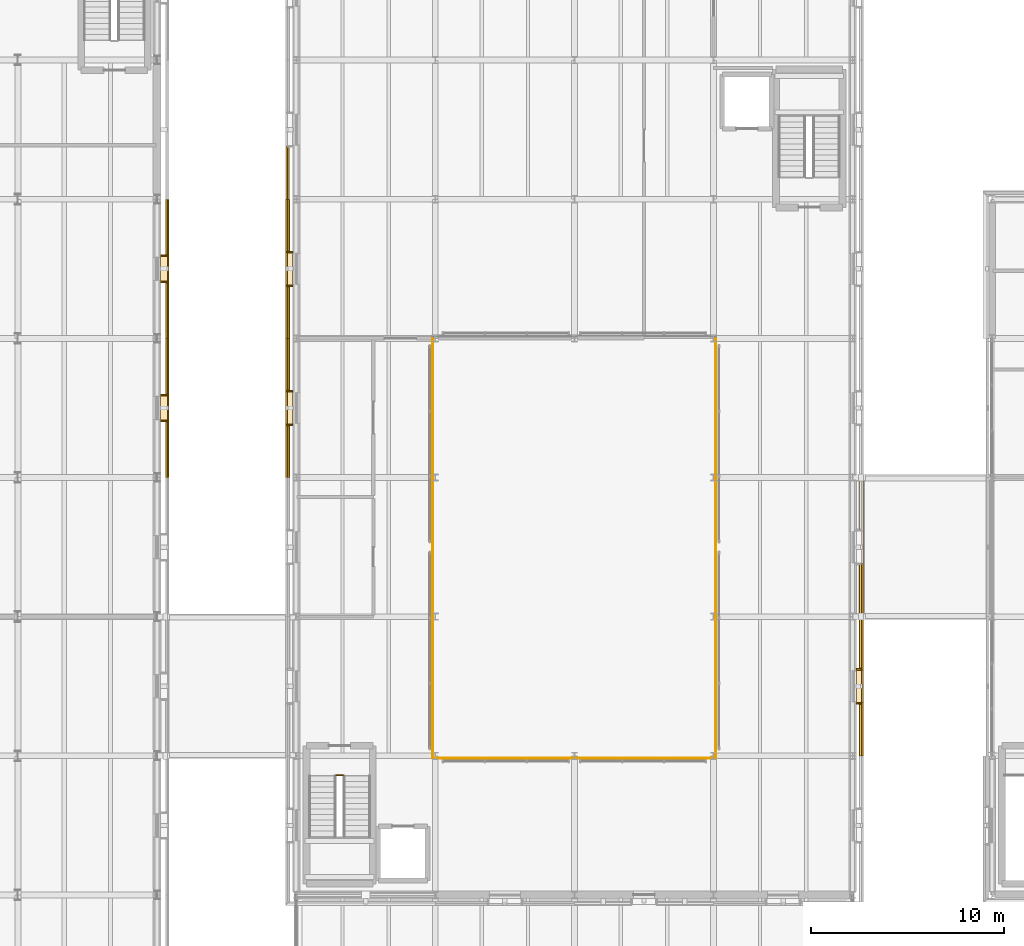
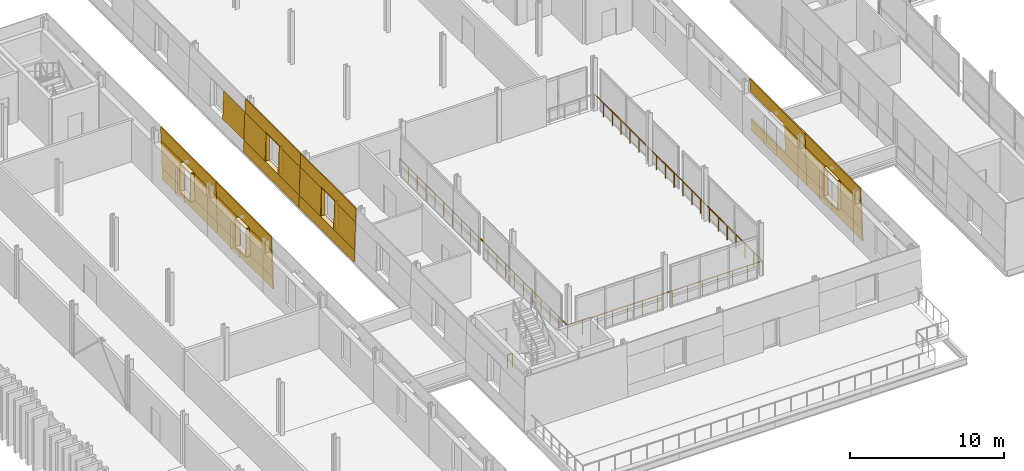
# One storey, part 81 of 91: 44 coverings, 4 railings.
"""IFC4 building model written with IfcOpenShell, lengths in metres."""

from ifc_helpers import new_model, si_unit, direction, frame, origin, origin_2d, place, context, subcontext, project, spatial, polyline, circle, outline, extrude, material, layer, layer_set, type_object, element, save


model = new_model("IFC4")

# Units and contexts
model_context = context("Model", 3, precision=1e-05, world=origin(), true_north=direction((0.0, 1.0)))
body_context = subcontext(model_context, "Body", "Model", "MODEL_VIEW")
ifc_project = project(units=[si_unit("LENGTHUNIT", "METRE"), si_unit("AREAUNIT", "SQUARE_METRE"), si_unit("VOLUMEUNIT", "CUBIC_METRE"), si_unit("PLANEANGLEUNIT", "RADIAN"), si_unit("MASSUNIT", "GRAM", prefix="KILO")], contexts=[model_context])

# Site, building, storey
site_placement = place(None, origin())
site = spatial("IfcSite", under=ifc_project, at=site_placement, CompositionType="ELEMENT")
building_placement = place(site_placement, origin())
building = spatial("IfcBuilding", under=site, at=building_placement, Name="Narikvali Park Central Library", CompositionType="ELEMENT")
storey_placement = place(building_placement, frame((0.0, 0.0, 14.39990234375)))
storey = spatial("IfcBuildingStorey", under=building, at=storey_placement, Name="L03", CompositionType="ELEMENT", Elevation=14.39990234375)

# Railings
ifc_material_1 = material(Name="Laminated Tempered Glass and Stainless Steel", Category="steel")
ifc_layer_1 = layer(ifc_material_1, 0.06005859375, Name="Laminated Tempered Glass and Stainless Steel")
ifc_layer_set_1 = layer_set([ifc_layer_1], Name="Laminated Tempered Glass and Stainless Steel")
railing_type_1 = type_object("IfcRailingType", Name="Atrium Void Tempered Glass Guardrail 1150", PredefinedType="GUARDRAIL", material=ifc_layer_set_1)
railing_1_placement = place(storey_placement, frame((35.8798828125, 64.679931640625, 0.0)))
element("IfcRailing", 1, at=railing_1_placement, inside=storey, type_object=railing_type_1, Name="V4 L03 Void Edge Guardrail S", PredefinedType="GUARDRAIL", context=body_context, shape_type="SweptSolid", body=[
    extrude(circle(Radius=0.02392578125, at=origin_2d()), frame((0.0, 0.0, 1.1259765625), z_axis=(1.0, 0.0, 0.0), x_axis=(0.0, 1.0, 0.0)), (0.0, 0.0, 1.0), 14.64013671875),
    extrude(circle(Radius=0.02099609375, at=origin_2d()), origin(), (0.0, 0.0, 1.0), 1.101806640625),
    extrude(circle(Radius=0.02099609375, at=origin_2d()), frame((1.126220703125, 0.0, 0.0)), (0.0, 0.0, 1.0), 1.101806640625),
    extrude(circle(Radius=0.02099609375, at=origin_2d()), frame((2.25244140625, 0.0, 0.0)), (0.0, 0.0, 1.0), 1.101806640625),
    extrude(circle(Radius=0.02099609375, at=origin_2d()), frame((3.37841796875, 0.0, 0.0)), (0.0, 0.0, 1.0), 1.101806640625),
    extrude(circle(Radius=0.02099609375, at=origin_2d()), frame((4.504638671875, 0.0, 0.0)), (0.0, 0.0, 1.0), 1.101806640625),
    extrude(circle(Radius=0.02099609375, at=origin_2d()), frame((5.630859375, 0.0, 0.0)), (0.0, 0.0, 1.0), 1.101806640625),
    extrude(circle(Radius=0.02099609375, at=origin_2d()), frame((6.757080078125, 0.0, 0.0)), (0.0, 0.0, 1.0), 1.101806640625),
    extrude(circle(Radius=0.02099609375, at=origin_2d()), frame((7.883056640625, 0.0, 0.0)), (0.0, 0.0, 1.0), 1.101806640625),
    extrude(circle(Radius=0.02099609375, at=origin_2d()), frame((9.00927734375, 0.0, 0.0)), (0.0, 0.0, 1.0), 1.101806640625),
    extrude(circle(Radius=0.02099609375, at=origin_2d()), frame((10.135498046875, 0.0, 0.0)), (0.0, 0.0, 1.0), 1.101806640625),
    extrude(circle(Radius=0.02099609375, at=origin_2d()), frame((11.26171875, 0.0, 0.0)), (0.0, 0.0, 1.0), 1.101806640625),
    extrude(circle(Radius=0.02099609375, at=origin_2d()), frame((12.3876953125, 0.0, 0.0)), (0.0, 0.0, 1.0), 1.101806640625),
    extrude(circle(Radius=0.02099609375, at=origin_2d()), frame((13.513916015625, 0.0, 0.0)), (0.0, 0.0, 1.0), 1.101806640625),
    extrude(circle(Radius=0.02099609375, at=origin_2d()), frame((14.64013671875, 0.0, 0.0)), (0.0, 0.0, 1.0), 1.101806640625),
])
railing_2_placement = place(storey_placement, frame((50.52001953125, 64.679931640625, 0.0)))
element("IfcRailing", 2, at=railing_2_placement, inside=storey, type_object=railing_type_1, Name="V4 L03 Void Edge Guardrail E", PredefinedType="GUARDRAIL", context=body_context, shape_type="SweptSolid", body=[
    extrude(circle(Radius=0.02392578125, at=origin_2d()), frame((0.0, 0.0, 1.1259765625), z_axis=(0.0, 1.0, 0.0), x_axis=(-1.0, 0.0, 0.0)), (0.0, 0.0, 1.0), 21.840087890625),
    extrude(circle(Radius=0.02099609375, at=origin_2d()), origin(), (0.0, 0.0, 1.0), 1.101806640625),
    extrude(circle(Radius=0.02099609375, at=origin_2d()), frame((0.0, 1.1494140625, 0.0)), (0.0, 0.0, 1.0), 1.101806640625),
    extrude(circle(Radius=0.02099609375, at=origin_2d()), frame((0.0, 2.299072265625, 0.0)), (0.0, 0.0, 1.0), 1.101806640625),
    extrude(circle(Radius=0.02099609375, at=origin_2d()), frame((0.0, 3.448486328125, 0.0)), (0.0, 0.0, 1.0), 1.101806640625),
    extrude(circle(Radius=0.02099609375, at=origin_2d()), frame((0.0, 4.597900390625, 0.0)), (0.0, 0.0, 1.0), 1.101806640625),
    extrude(circle(Radius=0.02099609375, at=origin_2d()), frame((0.0, 5.747314453125, 0.0)), (0.0, 0.0, 1.0), 1.101806640625),
    extrude(circle(Radius=0.02099609375, at=origin_2d()), frame((0.0, 6.89697265625, 0.0)), (0.0, 0.0, 1.0), 1.101806640625),
    extrude(circle(Radius=0.02099609375, at=origin_2d()), frame((0.0, 8.04638671875, 0.0)), (0.0, 0.0, 1.0), 1.101806640625),
    extrude(circle(Radius=0.02099609375, at=origin_2d()), frame((0.0, 9.19580078125, 0.0)), (0.0, 0.0, 1.0), 1.101806640625),
    extrude(circle(Radius=0.02099609375, at=origin_2d()), frame((0.0, 10.34521484375, 0.0)), (0.0, 0.0, 1.0), 1.101806640625),
    extrude(circle(Radius=0.02099609375, at=origin_2d()), frame((0.0, 11.494873046875, 0.0)), (0.0, 0.0, 1.0), 1.101806640625),
    extrude(circle(Radius=0.02099609375, at=origin_2d()), frame((0.0, 12.644287109375, 0.0)), (0.0, 0.0, 1.0), 1.101806640625),
    extrude(circle(Radius=0.02099609375, at=origin_2d()), frame((0.0, 13.793701171875, 0.0)), (0.0, 0.0, 1.0), 1.101806640625),
    extrude(circle(Radius=0.02099609375, at=origin_2d()), frame((0.0, 14.943115234375, 0.0)), (0.0, 0.0, 1.0), 1.101806640625),
    extrude(circle(Radius=0.02099609375, at=origin_2d()), frame((0.0, 16.0927734375, 0.0)), (0.0, 0.0, 1.0), 1.101806640625),
    extrude(circle(Radius=0.02099609375, at=origin_2d()), frame((0.0, 17.2421875, 0.0)), (0.0, 0.0, 1.0), 1.101806640625),
    extrude(circle(Radius=0.02099609375, at=origin_2d()), frame((0.0, 18.3916015625, 0.0)), (0.0, 0.0, 1.0), 1.101806640625),
    extrude(circle(Radius=0.02099609375, at=origin_2d()), frame((0.0, 19.541015625, 0.0)), (0.0, 0.0, 1.0), 1.101806640625),
    extrude(circle(Radius=0.02099609375, at=origin_2d()), frame((0.0, 20.690673828125, 0.0)), (0.0, 0.0, 1.0), 1.101806640625),
    extrude(circle(Radius=0.02099609375, at=origin_2d()), frame((0.0, 21.840087890625, 0.0)), (0.0, 0.0, 1.0), 1.101806640625),
])
railing_3_placement = place(storey_placement, frame((35.8798828125, 86.52001953125, 0.0)))
element("IfcRailing", 3, at=railing_3_placement, inside=storey, type_object=railing_type_1, Name="V4 L03 Void Edge Guardrail W", PredefinedType="GUARDRAIL", context=body_context, shape_type="SweptSolid", body=[
    extrude(circle(Radius=0.02392578125, at=origin_2d()), frame((0.0, 0.0, 1.1259765625), z_axis=(0.0, -1.0, 0.0), x_axis=(1.0, 0.0, 0.0)), (0.0, 0.0, 1.0), 21.840087890625),
    extrude(circle(Radius=0.02099609375, at=origin_2d()), origin(), (0.0, 0.0, 1.0), 1.101806640625),
    extrude(circle(Radius=0.02099609375, at=origin_2d()), frame((0.0, -1.1494140625, 0.0)), (0.0, 0.0, 1.0), 1.101806640625),
    extrude(circle(Radius=0.02099609375, at=origin_2d()), frame((0.0, -2.299072265625, 0.0)), (0.0, 0.0, 1.0), 1.101806640625),
    extrude(circle(Radius=0.02099609375, at=origin_2d()), frame((0.0, -3.448486328125, 0.0)), (0.0, 0.0, 1.0), 1.101806640625),
    extrude(circle(Radius=0.02099609375, at=origin_2d()), frame((0.0, -4.597900390625, 0.0)), (0.0, 0.0, 1.0), 1.101806640625),
    extrude(circle(Radius=0.02099609375, at=origin_2d()), frame((0.0, -5.747314453125, 0.0)), (0.0, 0.0, 1.0), 1.101806640625),
    extrude(circle(Radius=0.02099609375, at=origin_2d()), frame((0.0, -6.89697265625, 0.0)), (0.0, 0.0, 1.0), 1.101806640625),
    extrude(circle(Radius=0.02099609375, at=origin_2d()), frame((0.0, -8.04638671875, 0.0)), (0.0, 0.0, 1.0), 1.101806640625),
    extrude(circle(Radius=0.02099609375, at=origin_2d()), frame((0.0, -9.19580078125, 0.0)), (0.0, 0.0, 1.0), 1.101806640625),
    extrude(circle(Radius=0.02099609375, at=origin_2d()), frame((0.0, -10.34521484375, 0.0)), (0.0, 0.0, 1.0), 1.101806640625),
    extrude(circle(Radius=0.02099609375, at=origin_2d()), frame((0.0, -11.494873046875, 0.0)), (0.0, 0.0, 1.0), 1.101806640625),
    extrude(circle(Radius=0.02099609375, at=origin_2d()), frame((0.0, -12.644287109375, 0.0)), (0.0, 0.0, 1.0), 1.101806640625),
    extrude(circle(Radius=0.02099609375, at=origin_2d()), frame((0.0, -13.793701171875, 0.0)), (0.0, 0.0, 1.0), 1.101806640625),
    extrude(circle(Radius=0.02099609375, at=origin_2d()), frame((0.0, -14.943115234375, 0.0)), (0.0, 0.0, 1.0), 1.101806640625),
    extrude(circle(Radius=0.02099609375, at=origin_2d()), frame((0.0, -16.0927734375, 0.0)), (0.0, 0.0, 1.0), 1.101806640625),
    extrude(circle(Radius=0.02099609375, at=origin_2d()), frame((0.0, -17.2421875, 0.0)), (0.0, 0.0, 1.0), 1.101806640625),
    extrude(circle(Radius=0.02099609375, at=origin_2d()), frame((0.0, -18.3916015625, 0.0)), (0.0, 0.0, 1.0), 1.101806640625),
    extrude(circle(Radius=0.02099609375, at=origin_2d()), frame((0.0, -19.541015625, 0.0)), (0.0, 0.0, 1.0), 1.101806640625),
    extrude(circle(Radius=0.02099609375, at=origin_2d()), frame((0.0, -20.690673828125, 0.0)), (0.0, 0.0, 1.0), 1.101806640625),
    extrude(circle(Radius=0.02099609375, at=origin_2d()), frame((0.0, -21.840087890625, 0.0)), (0.0, 0.0, 1.0), 1.101806640625),
])

# Coverings
ifc_material_2 = material(Name="White Honed Limestone Cladding", Category="masonry")
ifc_layer_2 = layer(ifc_material_2, 0.0849609375, Name="White Honed Limestone Cladding")
ifc_layer_set_2 = layer_set([ifc_layer_2], Name="White Honed Limestone Cladding")
covering_type_1 = type_object("IfcCoveringType", Name="Battered White Limestone Facade Cladding Panel", PredefinedType="CLADDING", material=ifc_layer_set_2)
covering_1_placement = place(storey_placement, frame((58.15478515625, 64.800048828125, 0.0), z_axis=(0.999434023877, 0.0, 0.033639737186), x_axis=(0.0, 1.0, 0.0)))
element("IfcCovering", 4, at=covering_1_placement, inside=storey, type_object=covering_type_1, Name="V4 L03 E Battered Limestone Spandrel B02", PredefinedType="CLADDING", context=body_context, shape_type="SweptSolid", body=[
    extrude(outline(polyline([(0.0, 0.0), (7.199951171875, 0.0), (7.199951171875, 0.9507334049069504), (0.0, 0.9507334049069504), (0.0, 0.0)])), origin(), (0.0, 0.0, -1.0), 0.0849609375),
])
covering_2_placement = place(storey_placement, frame((58.048828125, 64.800048828125, 3.150146484375), z_axis=(0.999432197748, 0.0, 0.033693947611), x_axis=(0.0, 1.0, 0.0)))
element("IfcCovering", 5, at=covering_2_placement, inside=storey, type_object=covering_type_1, Name="V4 L03 E Battered Limestone Lintel B02", PredefinedType="CLADDING", context=body_context, shape_type="SweptSolid", body=[
    extrude(outline(polyline([(0.0, 0.0), (7.199951171875, 0.0), (7.199951171875, 1.0506453869422776), (0.0, 1.0506453869422776), (0.0, 0.0)])), origin(), (0.0, 0.0, -1.0), 0.0849609375),
])
for number, where, z_axis, x_axis, name in (
    (6, (58.122802734375, 64.800048828125, 0.9501953125), (0.999435139525, 0.0, 0.033606574995), (0.0, 1.0, 0.0), "V4 L03 E Battered Limestone Jamb Pier L B02"),
    (7, (58.122802734375, 69.239990234375, 0.9501953125), (0.999435139525, 0.0, 0.033606574995), (0.0, 1.0, 0.0), "V4 L03 E Battered Limestone Jamb Pier R B02"),
):
    element("IfcCovering", number, at=place(storey_placement, frame(where, z_axis=z_axis, x_axis=x_axis)), inside=storey, type_object=covering_type_1, Name=name, PredefinedType="CLADDING", context=body_context, shape_type="SweptSolid", body=[
        extrude(outline(polyline([(0.0, 0.0), (2.760009765625, 0.0), (2.760009765625, 2.201194539668489), (0.0, 2.201194539668489), (0.0, 0.0)])), origin(), (0.0, 0.0, -1.0), 0.0849609375),
    ])
covering_3_placement = place(storey_placement, frame((58.15478515625, 72.0, 0.0), z_axis=(0.999434023877, 0.0, 0.033639737186), x_axis=(0.0, 1.0, 0.0)))
element("IfcCovering", 8, at=covering_3_placement, inside=storey, type_object=covering_type_1, Name="V4 L03 E Battered Limestone Spandrel B03", PredefinedType="CLADDING", context=body_context, shape_type="SweptSolid", body=[
    extrude(outline(polyline([(0.0, 0.0), (7.199951171875, 0.0), (7.199951171875, 0.9507334049069504), (0.0, 0.9507334049069504), (0.0, 0.0)])), origin(), (0.0, 0.0, -1.0), 0.0849609375),
])
covering_4_placement = place(storey_placement, frame((58.048828125, 72.0, 3.150146484375), z_axis=(0.999432197748, 0.0, 0.033693947611), x_axis=(0.0, 1.0, 0.0)))
element("IfcCovering", 9, at=covering_4_placement, inside=storey, type_object=covering_type_1, Name="V4 L03 E Battered Limestone Lintel B03", PredefinedType="CLADDING", context=body_context, shape_type="SweptSolid", body=[
    extrude(outline(polyline([(0.0, 0.0), (7.199951171875, 0.0), (7.199951171875, 1.0506453869422776), (0.0, 1.0506453869422776), (0.0, 0.0)])), origin(), (0.0, 0.0, -1.0), 0.0849609375),
])
covering_5_placement = place(storey_placement, frame((58.122802734375, 72.0, 0.9501953125), z_axis=(0.999435139525, 0.0, 0.033606574995), x_axis=(0.0, 1.0, 0.0)))
element("IfcCovering", 10, at=covering_5_placement, inside=storey, type_object=covering_type_1, Name="V4 L03 E Battered Limestone Jamb Pier L B03", PredefinedType="CLADDING", context=body_context, shape_type="SweptSolid", body=[
    extrude(outline(polyline([(0.0, 0.0), (2.760009765625, 0.0), (2.760009765625, 2.201194539668489), (0.0, 2.201194539668489), (0.0, 0.0)])), origin(), (0.0, 0.0, -1.0), 0.0849609375),
])
covering_6_placement = place(storey_placement, frame((28.277099609375, 96.360107421875, 0.9501953125), z_axis=(-0.999431408105, 0.0, 0.033717361898), x_axis=(0.0, -1.0, 0.0)))
element("IfcCovering", 11, at=covering_6_placement, inside=storey, type_object=covering_type_1, Name="V4 L03 W Battered Limestone Jamb Pier R B03", PredefinedType="CLADDING", context=body_context, shape_type="SweptSolid", body=[
    extrude(outline(polyline([(0.0, 0.0), (2.760009765625, 0.0), (2.760009765625, 2.2012027579225295), (0.0, 2.2012027579225295), (0.0, 0.0)])), origin(), (0.0, 0.0, -1.0), 0.0849609375),
])
covering_7_placement = place(storey_placement, frame((28.2451171875, 93.60009765625, 0.0), z_axis=(-0.999434023877, 0.0, 0.033639737186), x_axis=(0.0, -1.0, 0.0)))
element("IfcCovering", 12, at=covering_7_placement, inside=storey, type_object=covering_type_1, Name="V4 L03 W Battered Limestone Spandrel B04", PredefinedType="CLADDING", context=body_context, shape_type="SweptSolid", body=[
    extrude(outline(polyline([(0.0, 0.0), (7.2001953125, 0.0), (7.2001953125, 0.9507334049069504), (0.0, 0.9507334049069504), (0.0, 0.0)])), origin(), (0.0, 0.0, -1.0), 0.0849609375),
])
covering_8_placement = place(storey_placement, frame((28.351318359375, 93.60009765625, 3.150146484375), z_axis=(-0.999439995942, 0.0, 0.033461836646), x_axis=(0.0, -1.0, 0.0)))
element("IfcCovering", 13, at=covering_8_placement, inside=storey, type_object=covering_type_1, Name="V4 L03 W Battered Limestone Lintel B04", PredefinedType="CLADDING", context=body_context, shape_type="SweptSolid", body=[
    extrude(outline(polyline([(0.0, 0.0), (7.2001953125, 0.0), (7.2001953125, 1.0506371892145967), (0.0, 1.0506371892145967), (0.0, 0.0)])), origin(), (0.0, 0.0, -1.0), 0.0849609375),
])
for number, where, z_axis, x_axis, name in (
    (14, (28.277099609375, 93.60009765625, 0.9501953125), (-0.999431408105, 0.0, 0.033717361898), (0.0, -1.0, 0.0), "V4 L03 W Battered Limestone Jamb Pier L B04"),
    (15, (28.277099609375, 89.159912109375, 0.9501953125), (-0.999431408105, 0.0, 0.033717361898), (0.0, -1.0, 0.0), "V4 L03 W Battered Limestone Jamb Pier R B04"),
):
    element("IfcCovering", number, at=place(storey_placement, frame(where, z_axis=z_axis, x_axis=x_axis)), inside=storey, type_object=covering_type_1, Name=name, PredefinedType="CLADDING", context=body_context, shape_type="SweptSolid", body=[
        extrude(outline(polyline([(0.0, 0.0), (2.760009765625, 0.0), (2.760009765625, 2.2012027579225295), (0.0, 2.2012027579225295), (0.0, 0.0)])), origin(), (0.0, 0.0, -1.0), 0.0849609375),
    ])
covering_9_placement = place(storey_placement, frame((28.2451171875, 86.39990234375, 0.0), z_axis=(-0.999434023877, 0.0, 0.033639737186), x_axis=(0.0, -1.0, 0.0)))
element("IfcCovering", 16, at=covering_9_placement, inside=storey, type_object=covering_type_1, Name="V4 L03 W Battered Limestone Spandrel B05", PredefinedType="CLADDING", context=body_context, shape_type="SweptSolid", body=[
    extrude(outline(polyline([(0.0, 0.0), (7.199951171875, 0.0), (7.199951171875, 0.9507334049069504), (0.0, 0.9507334049069504), (0.0, 0.0)])), origin(), (0.0, 0.0, -1.0), 0.0849609375),
])
covering_10_placement = place(storey_placement, frame((28.351318359375, 86.39990234375, 3.150146484375), z_axis=(-0.999439995942, 0.0, 0.033461836646), x_axis=(0.0, -1.0, 0.0)))
element("IfcCovering", 17, at=covering_10_placement, inside=storey, type_object=covering_type_1, Name="V4 L03 W Battered Limestone Lintel B05", PredefinedType="CLADDING", context=body_context, shape_type="SweptSolid", body=[
    extrude(outline(polyline([(0.0, 0.0), (7.199951171875, 0.0), (7.199951171875, 1.0506371892145967), (0.0, 1.0506371892145967), (0.0, 0.0)])), origin(), (0.0, 0.0, -1.0), 0.0849609375),
])
for number, where, z_axis, x_axis, name in (
    (18, (28.277099609375, 86.39990234375, 0.9501953125), (-0.999431408105, 0.0, 0.033717361898), (0.0, -1.0, 0.0), "V4 L03 W Battered Limestone Jamb Pier L B05"),
    (19, (28.277099609375, 81.9599609375, 0.9501953125), (-0.999431408105, 0.0, 0.033717361898), (0.0, -1.0, 0.0), "V4 L03 W Battered Limestone Jamb Pier R B05"),
):
    element("IfcCovering", number, at=place(storey_placement, frame(where, z_axis=z_axis, x_axis=x_axis)), inside=storey, type_object=covering_type_1, Name=name, PredefinedType="CLADDING", context=body_context, shape_type="SweptSolid", body=[
        extrude(outline(polyline([(0.0, 0.0), (2.760009765625, 0.0), (2.760009765625, 2.2012027579225295), (0.0, 2.2012027579225295), (0.0, 0.0)])), origin(), (0.0, 0.0, -1.0), 0.0849609375),
    ])
covering_11_placement = place(storey_placement, frame((22.2314453125, 79.199951171875, 0.0), z_axis=(0.999600837605, 0.0, 0.028251822234), x_axis=(0.0, 1.0, 0.0)))
element("IfcCovering", 20, at=covering_11_placement, inside=storey, type_object=covering_type_1, Name="V5 L03 E Battered Limestone Spandrel B08", PredefinedType="CLADDING", context=body_context, shape_type="SweptSolid", body=[
    extrude(outline(polyline([(0.0, 0.0), (7.199951171875, 0.0), (7.199951171875, 0.9505747461924048), (0.0, 0.9505747461924048), (0.0, 0.0)])), origin(), (0.0, 0.0, -1.0), 0.0849609375),
])
covering_12_placement = place(storey_placement, frame((22.1435546875, 79.199951171875, 3.10009765625), z_axis=(0.999596777432, 0.0, 0.028395114849), x_axis=(0.0, 1.0, 0.0)))
element("IfcCovering", 21, at=covering_12_placement, inside=storey, type_object=covering_type_1, Name="V5 L03 E Battered Limestone Lintel B08", PredefinedType="CLADDING", context=body_context, shape_type="SweptSolid", body=[
    extrude(outline(polyline([(0.0, 0.0), (7.199951171875, 0.0), (7.199951171875, 1.1005414193871774), (0.0, 1.1005414193871774), (0.0, 0.0)])), origin(), (0.0, 0.0, -1.0), 0.0849609375),
])
for number, where, z_axis, x_axis, name in (
    (22, (22.20458984375, 79.199951171875, 0.9501953125), (0.99959725493, 0.0, 0.028378300447), (0.0, 1.0, 0.0), "V5 L03 E Battered Limestone Jamb Pier L B08"),
    (23, (22.20458984375, 83.43994140625, 0.9501953125), (0.99959725493, 0.0, 0.028378300447), (0.0, 1.0, 0.0), "V5 L03 E Battered Limestone Jamb Pier R B08"),
):
    element("IfcCovering", number, at=place(storey_placement, frame(where, z_axis=z_axis, x_axis=x_axis)), inside=storey, type_object=covering_type_1, Name=name, PredefinedType="CLADDING", context=body_context, shape_type="SweptSolid", body=[
        extrude(outline(polyline([(0.0, 0.0), (2.9599609375, 0.0), (2.9599609375, 2.150768555182125), (0.0, 2.150768555182125), (0.0, 0.0)])), origin(), (0.0, 0.0, -1.0), 0.0849609375),
    ])
covering_13_placement = place(storey_placement, frame((22.2314453125, 86.39990234375, 0.0), z_axis=(0.999600837605, 0.0, 0.028251822234), x_axis=(0.0, 1.0, 0.0)))
element("IfcCovering", 24, at=covering_13_placement, inside=storey, type_object=covering_type_1, Name="V5 L03 E Battered Limestone Spandrel B09", PredefinedType="CLADDING", context=body_context, shape_type="SweptSolid", body=[
    extrude(outline(polyline([(0.0, 0.0), (7.2001953125, 0.0), (7.2001953125, 0.9505747461924048), (0.0, 0.9505747461924048), (0.0, 0.0)])), origin(), (0.0, 0.0, -1.0), 0.0849609375),
])
covering_14_placement = place(storey_placement, frame((22.1435546875, 86.39990234375, 3.10009765625), z_axis=(0.999596777432, 0.0, 0.028395114849), x_axis=(0.0, 1.0, 0.0)))
element("IfcCovering", 25, at=covering_14_placement, inside=storey, type_object=covering_type_1, Name="V5 L03 E Battered Limestone Lintel B09", PredefinedType="CLADDING", context=body_context, shape_type="SweptSolid", body=[
    extrude(outline(polyline([(0.0, 0.0), (7.2001953125, 0.0), (7.2001953125, 1.1005414193871774), (0.0, 1.1005414193871774), (0.0, 0.0)])), origin(), (0.0, 0.0, -1.0), 0.0849609375),
])
for number, where, z_axis, x_axis, name in (
    (26, (22.20458984375, 86.39990234375, 0.9501953125), (0.99959725493, 0.0, 0.028378300447), (0.0, 1.0, 0.0), "V5 L03 E Battered Limestone Jamb Pier L B09"),
    (27, (22.20458984375, 90.639892578125, 0.9501953125), (0.99959725493, 0.0, 0.028378300447), (0.0, 1.0, 0.0), "V5 L03 E Battered Limestone Jamb Pier R B09"),
):
    element("IfcCovering", number, at=place(storey_placement, frame(where, z_axis=z_axis, x_axis=x_axis)), inside=storey, type_object=covering_type_1, Name=name, PredefinedType="CLADDING", context=body_context, shape_type="SweptSolid", body=[
        extrude(outline(polyline([(0.0, 0.0), (2.960205078125, 0.0), (2.960205078125, 2.150768555182125), (0.0, 2.150768555182125), (0.0, 0.0)])), origin(), (0.0, 0.0, -1.0), 0.0849609375),
    ])
ifc_layer_3 = layer(ifc_material_2, 0.080078125, Name="White Honed Limestone Cladding")
ifc_layer_set_3 = layer_set([ifc_layer_3], Name="White Honed Limestone Cladding")
covering_type_2 = type_object("IfcCoveringType", Name="Deep Carved White Limestone Window Reveal", PredefinedType="CLADDING", material=ifc_layer_set_3)
covering_15_placement = place(storey_placement, frame((0.0, 0.0, 3.150146484375)))
element("IfcCovering", 28, at=covering_15_placement, inside=storey, type_object=covering_type_2, Name="Deep Stone Reveal Head V4-RVL-L03-E-B02", PredefinedType="CLADDING", context=body_context, shape_type="SweptSolid", body=[
    extrude(outline(polyline([(57.784912109375, 67.52001953125), (57.784912109375, 69.280029296875), (58.048828125, 69.280029296875), (58.048828125, 67.52001953125), (57.784912109375, 67.52001953125)])), origin(), (0.0, 0.0, 1.0), 0.079833984375),
])
covering_16_placement = place(storey_placement, frame((0.0, 0.0, 0.8701171875)))
element("IfcCovering", 29, at=covering_16_placement, inside=storey, type_object=covering_type_2, Name="Deep Stone Reveal Sill V4-RVL-L03-E-B02", PredefinedType="CLADDING", context=body_context, shape_type="SweptSolid", body=[
    extrude(outline(polyline([(57.784912109375, 67.52001953125), (57.784912109375, 69.280029296875), (58.122802734375, 69.280029296875), (58.122802734375, 67.52001953125), (57.784912109375, 67.52001953125)])), origin(), (0.0, 0.0, 1.0), 0.080078125),
])
covering_17_placement = place(storey_placement, frame((0.0, 0.0, 0.9501953125)))
element("IfcCovering", 30, at=covering_17_placement, inside=storey, type_object=covering_type_2, Name="Deep Stone Reveal Jamb L V4-RVL-L03-E-B02", PredefinedType="CLADDING", context=body_context, shape_type="SweptSolid", body=[
    extrude(outline(polyline([(57.784912109375, 67.47998046875), (57.784912109375, 67.56005859375), (58.048828125, 67.56005859375), (58.048828125, 67.47998046875), (57.784912109375, 67.47998046875)])), origin(), (0.0, 0.0, 1.0), 2.199951171875),
])
covering_18_placement = place(storey_placement, frame((0.0, 0.0, 0.9501953125)))
element("IfcCovering", 31, at=covering_18_placement, inside=storey, type_object=covering_type_2, Name="Deep Stone Reveal Jamb R V4-RVL-L03-E-B02", PredefinedType="CLADDING", context=body_context, shape_type="SweptSolid", body=[
    extrude(outline(polyline([(57.784912109375, 69.239990234375), (57.784912109375, 69.320068359375), (58.048828125, 69.320068359375), (58.048828125, 69.239990234375), (57.784912109375, 69.239990234375)])), origin(), (0.0, 0.0, 1.0), 2.199951171875),
])
covering_19_placement = place(storey_placement, frame((0.0, 0.0, 3.150146484375)))
element("IfcCovering", 32, at=covering_19_placement, inside=storey, type_object=covering_type_2, Name="Deep Stone Reveal Head V4-RVL-L03-W-B04", PredefinedType="CLADDING", context=body_context, shape_type="SweptSolid", body=[
    extrude(outline(polyline([(28.614990234375, 90.8798828125), (28.614990234375, 89.1201171875), (28.351318359375, 89.1201171875), (28.351318359375, 90.8798828125), (28.614990234375, 90.8798828125)])), origin(), (0.0, 0.0, 1.0), 0.079833984375),
])
covering_20_placement = place(storey_placement, frame((0.0, 0.0, 0.8701171875)))
element("IfcCovering", 33, at=covering_20_placement, inside=storey, type_object=covering_type_2, Name="Deep Stone Reveal Sill V4-RVL-L03-W-B04", PredefinedType="CLADDING", context=body_context, shape_type="SweptSolid", body=[
    extrude(outline(polyline([(28.614990234375, 90.8798828125), (28.614990234375, 89.1201171875), (28.277099609375, 89.1201171875), (28.277099609375, 90.8798828125), (28.614990234375, 90.8798828125)])), origin(), (0.0, 0.0, 1.0), 0.080078125),
])
covering_21_placement = place(storey_placement, frame((0.0, 0.0, 0.9501953125)))
element("IfcCovering", 34, at=covering_21_placement, inside=storey, type_object=covering_type_2, Name="Deep Stone Reveal Jamb L V4-RVL-L03-W-B04", PredefinedType="CLADDING", context=body_context, shape_type="SweptSolid", body=[
    extrude(outline(polyline([(28.614990234375, 90.919921875), (28.614990234375, 90.840087890625), (28.351318359375, 90.840087890625), (28.351318359375, 90.919921875), (28.614990234375, 90.919921875)])), origin(), (0.0, 0.0, 1.0), 2.199951171875),
])
covering_22_placement = place(storey_placement, frame((0.0, 0.0, 0.9501953125)))
element("IfcCovering", 35, at=covering_22_placement, inside=storey, type_object=covering_type_2, Name="Deep Stone Reveal Jamb R V4-RVL-L03-W-B04", PredefinedType="CLADDING", context=body_context, shape_type="SweptSolid", body=[
    extrude(outline(polyline([(28.614990234375, 89.159912109375), (28.614990234375, 89.080078125), (28.351318359375, 89.080078125), (28.351318359375, 89.159912109375), (28.614990234375, 89.159912109375)])), origin(), (0.0, 0.0, 1.0), 2.199951171875),
])
covering_23_placement = place(storey_placement, frame((0.0, 0.0, 3.150146484375)))
element("IfcCovering", 36, at=covering_23_placement, inside=storey, type_object=covering_type_2, Name="Deep Stone Reveal Head V4-RVL-L03-W-B05", PredefinedType="CLADDING", context=body_context, shape_type="SweptSolid", body=[
    extrude(outline(polyline([(28.614990234375, 83.679931640625), (28.614990234375, 81.919921875), (28.351318359375, 81.919921875), (28.351318359375, 83.679931640625), (28.614990234375, 83.679931640625)])), origin(), (0.0, 0.0, 1.0), 0.079833984375),
])
covering_24_placement = place(storey_placement, frame((0.0, 0.0, 0.8701171875)))
element("IfcCovering", 37, at=covering_24_placement, inside=storey, type_object=covering_type_2, Name="Deep Stone Reveal Sill V4-RVL-L03-W-B05", PredefinedType="CLADDING", context=body_context, shape_type="SweptSolid", body=[
    extrude(outline(polyline([(28.614990234375, 83.679931640625), (28.614990234375, 81.919921875), (28.277099609375, 81.919921875), (28.277099609375, 83.679931640625), (28.614990234375, 83.679931640625)])), origin(), (0.0, 0.0, 1.0), 0.080078125),
])
covering_25_placement = place(storey_placement, frame((0.0, 0.0, 0.9501953125)))
element("IfcCovering", 38, at=covering_25_placement, inside=storey, type_object=covering_type_2, Name="Deep Stone Reveal Jamb L V4-RVL-L03-W-B05", PredefinedType="CLADDING", context=body_context, shape_type="SweptSolid", body=[
    extrude(outline(polyline([(28.614990234375, 83.719970703125), (28.614990234375, 83.639892578125), (28.351318359375, 83.639892578125), (28.351318359375, 83.719970703125), (28.614990234375, 83.719970703125)])), origin(), (0.0, 0.0, 1.0), 2.199951171875),
])
covering_26_placement = place(storey_placement, frame((0.0, 0.0, 0.9501953125)))
element("IfcCovering", 39, at=covering_26_placement, inside=storey, type_object=covering_type_2, Name="Deep Stone Reveal Jamb R V4-RVL-L03-W-B05", PredefinedType="CLADDING", context=body_context, shape_type="SweptSolid", body=[
    extrude(outline(polyline([(28.614990234375, 81.9599609375), (28.614990234375, 81.8798828125), (28.351318359375, 81.8798828125), (28.351318359375, 81.9599609375), (28.614990234375, 81.9599609375)])), origin(), (0.0, 0.0, 1.0), 2.199951171875),
])
covering_27_placement = place(storey_placement, frame((0.0, 0.0, 3.10009765625)))
element("IfcCovering", 40, at=covering_27_placement, inside=storey, type_object=covering_type_2, Name="Deep Stone Reveal Head V5-RVL-L03-E-B08", PredefinedType="CLADDING", context=body_context, shape_type="SweptSolid", body=[
    extrude(outline(polyline([(21.784912109375, 82.1201171875), (21.784912109375, 83.47998046875), (22.1435546875, 83.47998046875), (22.1435546875, 82.1201171875), (21.784912109375, 82.1201171875)])), origin(), (0.0, 0.0, 1.0), 0.080078125),
])
covering_28_placement = place(storey_placement, frame((0.0, 0.0, 0.8701171875)))
element("IfcCovering", 41, at=covering_28_placement, inside=storey, type_object=covering_type_2, Name="Deep Stone Reveal Sill V5-RVL-L03-E-B08", PredefinedType="CLADDING", context=body_context, shape_type="SweptSolid", body=[
    extrude(outline(polyline([(21.784912109375, 82.1201171875), (21.784912109375, 83.47998046875), (22.20458984375, 83.47998046875), (22.20458984375, 82.1201171875), (21.784912109375, 82.1201171875)])), origin(), (0.0, 0.0, 1.0), 0.080078125),
])
covering_29_placement = place(storey_placement, frame((0.0, 0.0, 0.9501953125)))
element("IfcCovering", 42, at=covering_29_placement, inside=storey, type_object=covering_type_2, Name="Deep Stone Reveal Jamb L V5-RVL-L03-E-B08", PredefinedType="CLADDING", context=body_context, shape_type="SweptSolid", body=[
    extrude(outline(polyline([(21.784912109375, 82.080078125), (21.784912109375, 82.159912109375), (22.1435546875, 82.159912109375), (22.1435546875, 82.080078125), (21.784912109375, 82.080078125)])), origin(), (0.0, 0.0, 1.0), 2.14990234375),
])
covering_30_placement = place(storey_placement, frame((0.0, 0.0, 0.9501953125)))
element("IfcCovering", 43, at=covering_30_placement, inside=storey, type_object=covering_type_2, Name="Deep Stone Reveal Jamb R V5-RVL-L03-E-B08", PredefinedType="CLADDING", context=body_context, shape_type="SweptSolid", body=[
    extrude(outline(polyline([(21.784912109375, 83.43994140625), (21.784912109375, 83.52001953125), (22.1435546875, 83.52001953125), (22.1435546875, 83.43994140625), (21.784912109375, 83.43994140625)])), origin(), (0.0, 0.0, 1.0), 2.14990234375),
])
covering_31_placement = place(storey_placement, frame((0.0, 0.0, 3.10009765625)))
element("IfcCovering", 44, at=covering_31_placement, inside=storey, type_object=covering_type_2, Name="Deep Stone Reveal Head V5-RVL-L03-E-B09", PredefinedType="CLADDING", context=body_context, shape_type="SweptSolid", body=[
    extrude(outline(polyline([(21.784912109375, 89.320068359375), (21.784912109375, 90.679931640625), (22.1435546875, 90.679931640625), (22.1435546875, 89.320068359375), (21.784912109375, 89.320068359375)])), origin(), (0.0, 0.0, 1.0), 0.080078125),
])
covering_32_placement = place(storey_placement, frame((0.0, 0.0, 0.8701171875)))
element("IfcCovering", 45, at=covering_32_placement, inside=storey, type_object=covering_type_2, Name="Deep Stone Reveal Sill V5-RVL-L03-E-B09", PredefinedType="CLADDING", context=body_context, shape_type="SweptSolid", body=[
    extrude(outline(polyline([(21.784912109375, 89.320068359375), (21.784912109375, 90.679931640625), (22.20458984375, 90.679931640625), (22.20458984375, 89.320068359375), (21.784912109375, 89.320068359375)])), origin(), (0.0, 0.0, 1.0), 0.080078125),
])
covering_33_placement = place(storey_placement, frame((0.0, 0.0, 0.9501953125)))
element("IfcCovering", 46, at=covering_33_placement, inside=storey, type_object=covering_type_2, Name="Deep Stone Reveal Jamb L V5-RVL-L03-E-B09", PredefinedType="CLADDING", context=body_context, shape_type="SweptSolid", body=[
    extrude(outline(polyline([(21.784912109375, 89.280029296875), (21.784912109375, 89.360107421875), (22.1435546875, 89.360107421875), (22.1435546875, 89.280029296875), (21.784912109375, 89.280029296875)])), origin(), (0.0, 0.0, 1.0), 2.14990234375),
])
covering_34_placement = place(storey_placement, frame((0.0, 0.0, 0.9501953125)))
element("IfcCovering", 47, at=covering_34_placement, inside=storey, type_object=covering_type_2, Name="Deep Stone Reveal Jamb R V5-RVL-L03-E-B09", PredefinedType="CLADDING", context=body_context, shape_type="SweptSolid", body=[
    extrude(outline(polyline([(21.784912109375, 90.639892578125), (21.784912109375, 90.719970703125), (22.1435546875, 90.719970703125), (22.1435546875, 90.639892578125), (21.784912109375, 90.639892578125)])), origin(), (0.0, 0.0, 1.0), 2.14990234375),
])

# Railing
ifc_material_3 = material(Name="Powder-Coated Steel S275", Category="steel")
ifc_layer_4 = layer(ifc_material_3, 0.050048828125, Name="Powder-Coated Steel S275")
ifc_layer_set_4 = layer_set([ifc_layer_4], Name="Powder-Coated Steel S275")
railing_type_2 = type_object("IfcRailingType", Name="Stair Well Steel Guardrail 1100", PredefinedType="GUARDRAIL", material=ifc_layer_set_4)
railing_4_placement = place(storey_placement, frame((30.8701171875, 63.800048828125, 0.0)))
element("IfcRailing", 48, at=railing_4_placement, inside=storey, type_object=railing_type_2, Name="L03 ST-07 stair guard 4", PredefinedType="GUARDRAIL", context=body_context, shape_type="SweptSolid", body=[
    extrude(circle(Radius=0.02392578125, at=origin_2d()), frame((0.0, 0.0, 1.076171875), z_axis=(1.0, 0.0, 0.0), x_axis=(0.0, 1.0, 0.0)), (0.0, 0.0, 1.0), 0.35986328125),
    extrude(circle(Radius=0.02099609375, at=origin_2d()), origin(), (0.0, 0.0, 1.0), 1.052001953125),
    extrude(circle(Radius=0.02099609375, at=origin_2d()), frame((0.35986328125, 0.0, 0.0)), (0.0, 0.0, 1.0), 1.052001953125),
])

save(model, "model.ifc")
